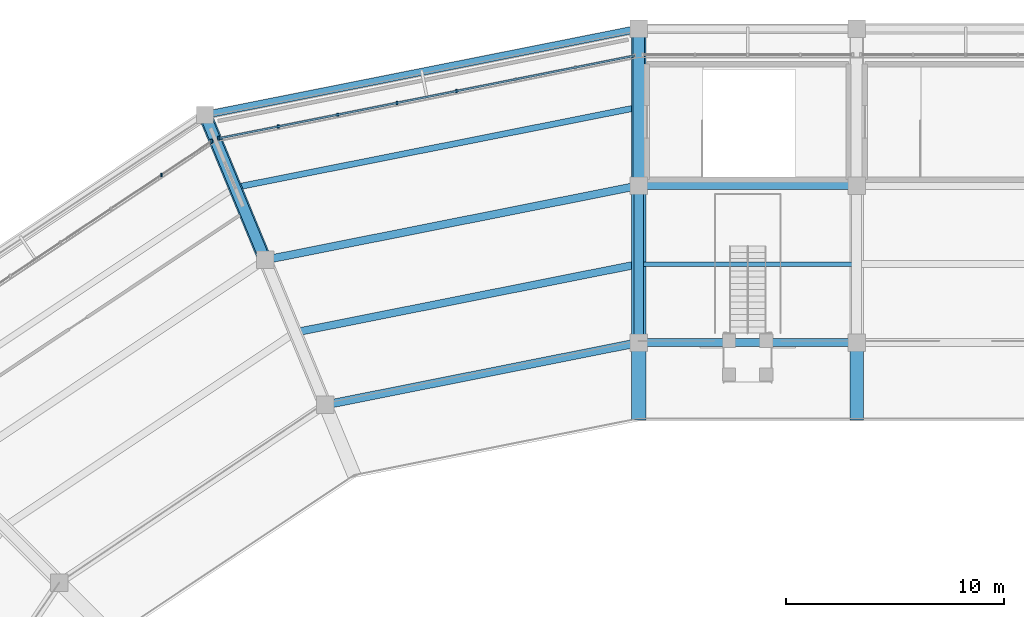
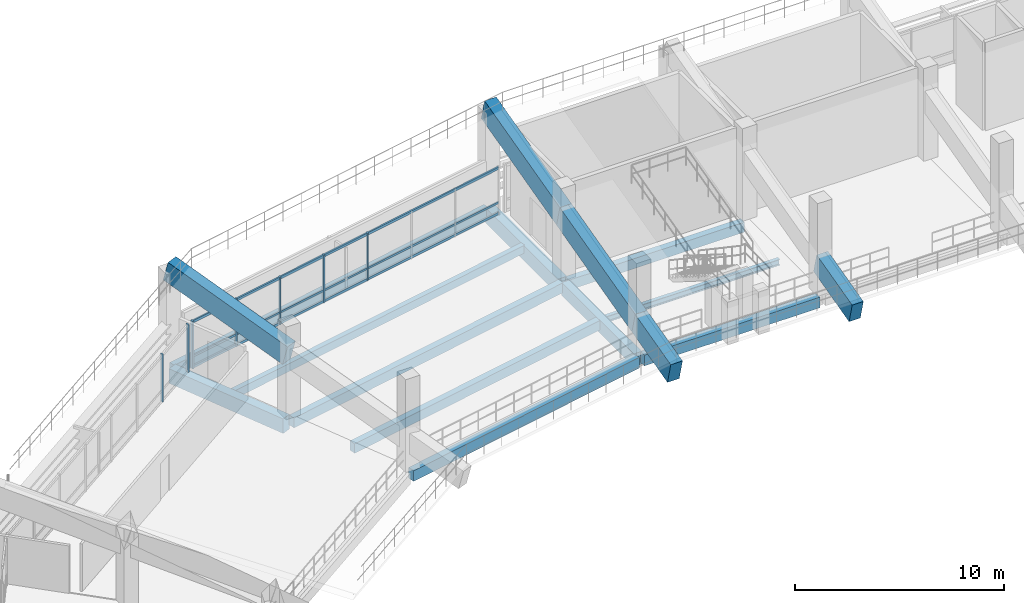
# One storey, part 41 of 96: 16 beams, 10 members, 2 elements without a shape of their own.
"""IFC4 building model written with IfcOpenShell, lengths in metres."""

import ifcopenshell
import ifcopenshell.guid

model = None  # the IFC model being written
_history = None  # IfcOwnerHistory: only IFC2X3 demands one
_inside = {}  # id of a spatial element -> (the spatial element, [elements in it])
_under = {}  # id of a project, library or spatial element -> (it, [spatial elements below it])
_declared = {}  # id of a project -> (the project, [libraries it declares])
_typed = {}  # id of a type object -> (the type object, [elements of that type])
_made_of = {}  # id of a material, layer set ... -> (it, [elements and type objects made of it])


def new_model(schema):
    """Start an empty IFC model of exactly this schema.

    Asked for "IFC4X3", IfcOpenShell would pick the latest addendum, in which some entities
    have other attributes; the version numbers below select the first issue.
    IFC2X3 requires an IfcOwnerHistory on every rooted entity: one is made here for all.
    """
    global model, _history
    if schema == "IFC4X3":
        model = ifcopenshell.file(schema_version=(4, 3, 0, 0))
    else:
        model = ifcopenshell.file(schema=schema)
    _inside.clear()
    _under.clear()
    _declared.clear()
    _typed.clear()
    _made_of.clear()
    _history = None
    if model.schema == "IFC2X3":
        org = make("IfcOrganization", Name="unknown")
        user = make(
            "IfcPersonAndOrganization",
            ThePerson=make("IfcPerson", FamilyName="unknown"),
            TheOrganization=org,
        )
        app = make(
            "IfcApplication",
            ApplicationDeveloper=org,
            Version="unknown",
            ApplicationFullName="unknown",
            ApplicationIdentifier="unknown",
        )
        _history = make(
            "IfcOwnerHistory",
            OwningUser=user,
            OwningApplication=app,
            ChangeAction="ADDED",
            CreationDate=0,
        )
    return model


def make(cls, **values):
    """One entity of the class cls with the attributes given. An attribute that is None is left unset."""
    return model.create_entity(
        cls, **{name: value for name, value in values.items() if value is not None}
    )


def rooted(cls, **values):
    """An entity with a GlobalId (a new one), such as an element, a storey or a relation."""
    return make(cls, GlobalId=ifcopenshell.guid.new(), OwnerHistory=_history, **values)


def si_unit(unit_type, name, prefix=None):
    """IfcSIUnit, for example si_unit("LENGTHUNIT", "METRE", prefix="MILLI")."""
    return make("IfcSIUnit", UnitType=unit_type, Prefix=prefix, Name=name)


def assignment(units):
    """IfcUnitAssignment: the units of a project."""
    return None if units is None else make("IfcUnitAssignment", Units=units)


def point(xyz):
    """IfcCartesianPoint."""
    return None if xyz is None else make("IfcCartesianPoint", Coordinates=xyz)


def direction(xyz):
    """IfcDirection."""
    return None if xyz is None else make("IfcDirection", DirectionRatios=xyz)


def frame(location, z_axis=None, x_axis=None):
    """IfcAxis2Placement3D, a coordinate frame: its origin and axes. An axis left out is left unset."""
    return make(
        "IfcAxis2Placement3D",
        Location=point(location),
        Axis=direction(z_axis),
        RefDirection=direction(x_axis),
    )


def frame_2d(location, x_axis=None):
    """IfcAxis2Placement2D, a coordinate frame in the plane: its origin and x axis."""
    return make(
        "IfcAxis2Placement2D", Location=point(location), RefDirection=direction(x_axis)
    )


def origin():
    """The frame at (0, 0, 0) with its axes left unset."""
    return frame((0.0, 0.0, 0.0))


def origin_2d():
    """The frame at (0, 0) in the plane with its x axis left unset."""
    return frame_2d((0.0, 0.0))


def place(relative_to, where):
    """IfcLocalPlacement: puts the frame where relative to a parent placement (None: the world)."""
    return make(
        "IfcLocalPlacement", PlacementRelTo=relative_to, RelativePlacement=where
    )


def context(
    kind, dimensions, precision=None, world=None, true_north=None, identifier=None
):
    """IfcGeometricRepresentationContext, for example the 3D "Model" context."""
    return make(
        "IfcGeometricRepresentationContext",
        ContextIdentifier=identifier,
        ContextType=kind,
        CoordinateSpaceDimension=dimensions,
        Precision=precision,
        WorldCoordinateSystem=world,
        TrueNorth=true_north,
    )


def subcontext(parent, identifier, kind, view, scale=None):
    """IfcGeometricRepresentationSubContext, for example "Body" below "Model"."""
    return make(
        "IfcGeometricRepresentationSubContext",
        ContextIdentifier=identifier,
        ContextType=kind,
        ParentContext=parent,
        TargetScale=scale,
        TargetView=view,
    )


def project(units=None, contexts=None):
    """IfcProject with its units and contexts."""
    return rooted(
        "IfcProject",
        Name="project",
        RepresentationContexts=contexts,
        UnitsInContext=assignment(units),
    )


def spatial(cls, under=None, at=None, **own):
    """A site, building, storey or space (cls), placed at a placement, below another one or the project."""
    s = rooted(cls, ObjectPlacement=at, **own)
    if under is not None:
        _under.setdefault(under.id(), (under, []))[1].append(s)
    return s


def profile(cls, at=None, kind="AREA", **sizes):
    """A parametric profile (cls). Its sizes go by their IFC names, for example OverallWidth=200.0."""
    return make(cls, ProfileType=kind, Position=at, **sizes)


def rectangle(**sizes):
    """IfcRectangleProfileDef."""
    return profile("IfcRectangleProfileDef", **sizes)


def i_section(**sizes):
    """IfcIShapeProfileDef."""
    return profile("IfcIShapeProfileDef", **sizes)


def extrude(swept, where, along, depth):
    """IfcExtrudedAreaSolid: the profile swept, set in the frame where, extruded along a direction by depth."""
    return make(
        "IfcExtrudedAreaSolid",
        SweptArea=swept,
        Position=where,
        ExtrudedDirection=direction(along),
        Depth=depth,
    )


def shape(context_of_items, identifier, shape_type, items):
    """IfcShapeRepresentation: the items that make up one representation, for example the "Body"."""
    return make(
        "IfcShapeRepresentation",
        ContextOfItems=context_of_items,
        RepresentationIdentifier=identifier,
        RepresentationType=shape_type,
        Items=items,
    )


def material(Name=None, Category=None):
    """IfcMaterial."""
    return make("IfcMaterial", Name=Name, Category=Category)


def material_profile(
    of_material, cross_section, Name=None, Category=None, Priority=None
):
    """IfcMaterialProfile: a cross section and its material."""
    return make(
        "IfcMaterialProfile",
        Name=Name,
        Material=of_material,
        Profile=cross_section,
        Priority=Priority,
        Category=Category,
    )


def profile_set(profiles, Name=None, composite=None):
    """IfcMaterialProfileSet."""
    return make(
        "IfcMaterialProfileSet",
        Name=Name,
        MaterialProfiles=profiles,
        CompositeProfile=composite,
    )


def made_of(thing, what):
    """Note that an element or type object is made of a material, layer set ...; save() writes the relation."""
    if what is not None:
        _made_of.setdefault(what.id(), (what, []))[1].append(thing)
    return thing


def type_object(cls, material=None, **own):
    """A type object (cls), such as IfcWallType, which elements share."""
    return made_of(rooted(cls, **own), material)


def element(
    cls,
    number,
    at=None,
    inside=None,
    cuts=None,
    type_object=None,
    material=None,
    context=None,
    identifier="Body",
    shape_type=None,
    held_by="IfcProductDefinitionShape",
    body=None,
    shapes=None,
    **own,
):
    """One element of the class cls, such as IfcWall. Its Tag is "e" and its number.

    at: its placement. inside: the storey or other place that contains it. cuts: it is an
    opening in that element (IfcRelVoidsElement). A single representation is given by context,
    identifier, shape_type and body (its items); several are given by shapes. held_by: the class
    of the entity that holds the representations. save() writes the other relations.
    """
    e = rooted(cls, Tag="e%d" % number, ObjectPlacement=at, **own)
    if body is not None:
        shapes = [shape(context, identifier, shape_type, body)]
    if shapes is not None:
        e.Representation = make(held_by, Representations=shapes)
    if inside is not None:
        _inside.setdefault(inside.id(), (inside, []))[1].append(e)
    if cuts is not None:
        rooted(
            "IfcRelVoidsElement", RelatingBuildingElement=cuts, RelatedOpeningElement=e
        )
    if type_object is not None:
        _typed.setdefault(type_object.id(), (type_object, []))[1].append(e)
    return made_of(e, material)


def aggregate(whole, parts):
    """IfcRelAggregates: a whole, such as a stair, and the parts it consists of."""
    return rooted("IfcRelAggregates", RelatingObject=whole, RelatedObjects=parts)


def save(model, path):
    """Write the relations noted so far, then the file.

    IfcRelAggregates (storeys below a building ...), IfcRelContainedInSpatialStructure (elements
    in a storey), IfcRelDefinesByType, IfcRelAssociatesMaterial and IfcRelDeclares: one each for
    every whole, place, type object, material and project.
    """
    for whole, parts in _under.values():
        aggregate(whole, parts)
    for where, things in _inside.values():
        rooted(
            "IfcRelContainedInSpatialStructure",
            RelatedElements=things,
            RelatingStructure=where,
        )
    for kind, things in _typed.values():
        rooted("IfcRelDefinesByType", RelatedObjects=things, RelatingType=kind)
    for what, things in _made_of.values():
        rooted("IfcRelAssociatesMaterial", RelatedObjects=things, RelatingMaterial=what)
    for by, libraries in _declared.values():
        rooted("IfcRelDeclares", RelatingContext=by, RelatedDefinitions=libraries)
    model.write(path)


model = new_model("IFC4")

# Units and contexts
model_context = context("Model", 3, precision=1e-05, world=origin(), true_north=direction((0.0, 1.0)))
body_context = subcontext(model_context, "Body", "Model", "MODEL_VIEW")
ifc_project = project(units=[si_unit("LENGTHUNIT", "METRE"), si_unit("AREAUNIT", "SQUARE_METRE"), si_unit("VOLUMEUNIT", "CUBIC_METRE"), si_unit("PLANEANGLEUNIT", "RADIAN"), si_unit("MASSUNIT", "GRAM", prefix="KILO")], contexts=[model_context])

# Site, building, storey
site_placement = place(None, origin())
site = spatial("IfcSite", under=ifc_project, at=site_placement, CompositionType="ELEMENT")
building_placement = place(site_placement, origin())
building = spatial("IfcBuilding", under=site, at=building_placement, Name="Candeia Ridge Stadium", CompositionType="ELEMENT")
storey_placement = place(building_placement, frame((0.0, 0.0, 21.60009765625)))
storey = spatial("IfcBuildingStorey", under=building, at=storey_placement, Name="L04", CompositionType="ELEMENT", Elevation=21.60009765625)

# Beams
ifc_material_1 = material(Name="Concrete C45/55", Category="concrete")
ifc_material_profile_1 = material_profile(ifc_material_1, rectangle(XDim=0.449951171875, YDim=0.75, at=origin_2d()), Name="RC450x750", Category="concrete")
ifc_profile_set_1 = profile_set([ifc_material_profile_1], Name="Concrete C45/55")
beam_type_1 = type_object("IfcBeamType", Name="Bowl Radial Girder RC450x750", PredefinedType="BEAM", material=ifc_profile_set_1)
beam_1_placement = place(storey_placement, frame((71.0, 132.760009765625, -0.635009765625), z_axis=(0.0, 1.0, 0.0), x_axis=(-1.0, 0.0, 0.0)))
element("IfcBeam", 1, at=beam_1_placement, inside=storey, type_object=beam_type_1, Name="Bowl radial girder BM-L04-0735", PredefinedType="BEAM", context=body_context, shape_type="SweptSolid", body=[
    extrude(rectangle(XDim=0.449951171875, YDim=0.75, at=origin_2d()), origin(), (0.0, 0.0, 1.0), 6.8798828125),
])
ifc_material_2 = material(Name="Concrete C40/50", Category="concrete")
ifc_material_profile_2 = material_profile(ifc_material_2, rectangle(XDim=0.35009765625, YDim=0.550048828125, at=origin_2d()), Name="RC350x550", Category="concrete")
ifc_profile_set_2 = profile_set([ifc_material_profile_2], Name="Concrete C40/50")
beam_type_2 = type_object("IfcBeamType", Name="Concourse Concrete Joist RC350x550", PredefinedType="JOIST", material=ifc_profile_set_2)
beam_2_placement = place(storey_placement, frame((70.7822265625, 136.15673828125, -0.53515625), z_axis=(-0.980784984607, -0.195091809076, 0.0), x_axis=(0.195091809076, -0.980784984607, 0.0)))
element("IfcBeam", 2, at=beam_2_placement, inside=storey, type_object=beam_type_2, Name="Concourse secondary joist BM-L04-0826", PredefinedType="JOIST", context=body_context, shape_type="SweptSolid", body=[
    extrude(rectangle(XDim=0.35009765625, YDim=0.550048828125, at=origin_2d()), origin(), (0.0, 0.0, 1.0), 15.63134765625),
])
ifc_material_3 = material(Name="Steel ASTM A572 Grade 50", Category="steel")
ifc_material_profile_3 = material_profile(ifc_material_3, i_section(OverallWidth=0.205078125, OverallDepth=0.35400390625, WebThickness=0.009521484375, FlangeThickness=0.016845703125, FilletRadius=0.014892578125, at=origin_2d()), Name="W360x79", Category="steel")
ifc_profile_set_3 = profile_set([ifc_material_profile_3], Name="Steel ASTM A572 Grade 50")
beam_type_3 = type_object("IfcBeamType", Name="Concourse Secondary Joist W360x79", PredefinedType="JOIST", material=ifc_profile_set_3)
beam_3_placement = place(storey_placement, frame((80.778076171875, 136.199951171875, -0.43701171875), z_axis=(-1.0, 0.0, 0.0), x_axis=(0.0, -1.0, 0.0)))
element("IfcBeam", 3, at=beam_3_placement, inside=storey, type_object=beam_type_3, Name="Concourse secondary joist BM-L04-0822", PredefinedType="JOIST", context=body_context, shape_type="SweptSolid", body=[
    extrude(i_section(OverallWidth=0.205078125, OverallDepth=0.35400390625, WebThickness=0.009521484375, FlangeThickness=0.016845703125, FilletRadius=0.014892578125, at=origin_2d()), origin(), (0.0, 0.0, 1.0), 9.55615234375),
])

# Curtain wall, member
ifc_material_4 = material(Name="Aluminium Anodized Warm Bronze", Category="aluminium")
curtain_wall_type = type_object("IfcCurtainWallType", Name="Concourse Recessed Unitised Curtain Wall", PredefinedType="NOTDEFINED", material=ifc_material_4)
curtain_wall_1_placement = place(storey_placement, origin())
curtain_wall_1 = element("IfcCurtainWall", 4, at=curtain_wall_1_placement, inside=storey, type_object=curtain_wall_type, Name="Unitised curtain wall CW-BWL-L04-07", PredefinedType="NOTDEFINED")
ifc_material_profile_4 = material_profile(ifc_material_4, rectangle(XDim=0.090087890625, YDim=0.179931640625, at=origin_2d()), Name="CWM-90x180", Category="aluminium")
ifc_profile_set_4 = profile_set([ifc_material_profile_4], Name="Aluminium Anodized Warm Bronze")
member_type_1 = type_object("IfcMemberType", Name="Curtain Wall Primary Mullion 90x180", PredefinedType="MULLION", material=ifc_profile_set_4)
member_1_placement = place(storey_placement, frame((51.736083984375, 141.96826171875, 0.0), z_axis=(0.0, 0.0, 1.0), x_axis=(1.0, 0.0, 0.0)))
member_1 = element("IfcMember", 5, at=member_1_placement, type_object=member_type_1, Name="Curtain wall mullion CW-BWL-L04-07-M7", PredefinedType="MULLION", context=body_context, shape_type="SweptSolid", body=[
    extrude(rectangle(XDim=0.090087890625, YDim=0.179931640625, at=origin_2d()), origin(), (0.0, 0.0, 1.0), 2.772216796875),
])

curtain_wall_2_placement = place(storey_placement, origin())
curtain_wall_2 = element("IfcCurtainWall", 6, at=curtain_wall_2_placement, inside=storey, type_object=curtain_wall_type, Name="Unitised curtain wall CW-BWL-L04-08", PredefinedType="NOTDEFINED")
member_2_placement = place(storey_placement, frame((51.409912109375, 141.8330078125, 0.0), z_axis=(0.0, 0.0, 1.0), x_axis=(1.0, 0.0, 0.0)))
member_2 = element("IfcMember", 7, at=member_2_placement, type_object=member_type_1, Name="Curtain wall mullion CW-BWL-L04-08-M0", PredefinedType="MULLION", context=body_context, shape_type="SweptSolid", body=[
    extrude(rectangle(XDim=0.090087890625, YDim=0.179931640625, at=origin_2d()), origin(), (0.0, 0.0, 1.0), 2.772216796875),
])

# Member
ifc_material_profile_5 = material_profile(ifc_material_4, rectangle(XDim=0.074951171875, YDim=0.14990234375, at=origin_2d()), Name="CWM-75x150", Category="aluminium")
ifc_profile_set_5 = profile_set([ifc_material_profile_5], Name="Aluminium Anodized Warm Bronze")
member_type_2 = type_object("IfcMemberType", Name="Curtain Wall Secondary Mullion 75x150", PredefinedType="MULLION", material=ifc_profile_set_5)
member_3_placement = place(storey_placement, frame((62.643310546875, 144.1376953125, 0.0), z_axis=(0.0, 0.0, 1.0), x_axis=(1.0, 0.0, 0.0)))
member_3 = element("IfcMember", 8, at=member_3_placement, type_object=member_type_2, Name="Curtain wall mullion CW-BWL-L04-07-M3", PredefinedType="MULLION", context=body_context, shape_type="SweptSolid", body=[
    extrude(rectangle(XDim=0.074951171875, YDim=0.14990234375, at=origin_2d()), origin(), (0.0, 0.0, 1.0), 2.772216796875),
])

member_4_placement = place(storey_placement, frame((59.91650390625, 143.595458984375, 0.0), z_axis=(0.0, 0.0, 1.0), x_axis=(1.0, 0.0, 0.0)))
member_4 = element("IfcMember", 9, at=member_4_placement, type_object=member_type_2, Name="Curtain wall mullion CW-BWL-L04-07-M4", PredefinedType="MULLION", context=body_context, shape_type="SweptSolid", body=[
    extrude(rectangle(XDim=0.074951171875, YDim=0.14990234375, at=origin_2d()), origin(), (0.0, 0.0, 1.0), 2.772216796875),
])

member_5_placement = place(storey_placement, frame((57.189697265625, 143.052978515625, 0.0), z_axis=(0.0, 0.0, 1.0), x_axis=(1.0, 0.0, 0.0)))
member_5 = element("IfcMember", 10, at=member_5_placement, type_object=member_type_2, Name="Curtain wall mullion CW-BWL-L04-07-M5", PredefinedType="MULLION", context=body_context, shape_type="SweptSolid", body=[
    extrude(rectangle(XDim=0.074951171875, YDim=0.14990234375, at=origin_2d()), origin(), (0.0, 0.0, 1.0), 2.772216796875),
])

member_6_placement = place(storey_placement, frame((54.462890625, 142.510498046875, 0.0), z_axis=(0.0, 0.0, 1.0), x_axis=(1.0, 0.0, 0.0)))
member_6 = element("IfcMember", 11, at=member_6_placement, type_object=member_type_2, Name="Curtain wall mullion CW-BWL-L04-07-M6", PredefinedType="MULLION", context=body_context, shape_type="SweptSolid", body=[
    extrude(rectangle(XDim=0.074951171875, YDim=0.14990234375, at=origin_2d()), origin(), (0.0, 0.0, 1.0), 2.772216796875),
])

member_7_placement = place(storey_placement, frame((49.098388671875, 140.28857421875, 0.0), z_axis=(0.0, 0.0, 1.0), x_axis=(1.0, 0.0, 0.0)))
member_7 = element("IfcMember", 12, at=member_7_placement, type_object=member_type_2, Name="Curtain wall mullion CW-BWL-L04-08-M1", PredefinedType="MULLION", context=body_context, shape_type="SweptSolid", body=[
    extrude(rectangle(XDim=0.074951171875, YDim=0.14990234375, at=origin_2d()), origin(), (0.0, 0.0, 1.0), 2.772216796875),
])

aggregate(curtain_wall_2, [member_2, member_7])

ifc_material_profile_6 = material_profile(ifc_material_4, rectangle(XDim=0.074951171875, YDim=0.110107421875, at=origin_2d()), Name="CWT-75x110", Category="aluminium")
ifc_profile_set_6 = profile_set([ifc_material_profile_6], Name="Aluminium Anodized Warm Bronze")
member_type_3 = type_object("IfcMemberType", Name="Curtain Wall Secondary Transom 75x110", PredefinedType="USERDEFINED", material=ifc_profile_set_6)
member_8_placement = place(storey_placement, frame((70.823486328125, 145.764892578125, 0.693115234375), z_axis=(-0.980786160623, -0.195085896803, 0.0), x_axis=(0.195085896803, -0.980786160623, 0.0)))
member_8 = element("IfcMember", 13, at=member_8_placement, type_object=member_type_3, Name="Curtain wall transom CW-BWL-L04-07-T1", ObjectType="TRANSOM", PredefinedType="USERDEFINED", context=body_context, shape_type="SweptSolid", body=[
    extrude(rectangle(XDim=0.074951171875, YDim=0.110107421875, at=origin_2d()), origin(), (0.0, 0.0, 1.0), 19.46142578125),
])

ifc_material_profile_7 = material_profile(ifc_material_4, rectangle(XDim=0.090087890625, YDim=0.139892578125, at=origin_2d()), Name="CWT-90x140", Category="aluminium")
ifc_profile_set_7 = profile_set([ifc_material_profile_7], Name="Aluminium Anodized Warm Bronze")
member_type_4 = type_object("IfcMemberType", Name="Curtain Wall Transom 90x140", PredefinedType="USERDEFINED", material=ifc_profile_set_7)
member_9_placement = place(storey_placement, frame((70.823486328125, 145.764892578125, 0.06982421875), z_axis=(-0.980786160623, -0.195085896803, 0.0), x_axis=(0.195085896803, -0.980786160623, 0.0)))
member_9 = element("IfcMember", 14, at=member_9_placement, type_object=member_type_4, Name="Curtain wall transom CW-BWL-L04-07-T0", ObjectType="TRANSOM", PredefinedType="USERDEFINED", context=body_context, shape_type="SweptSolid", body=[
    extrude(rectangle(XDim=0.090087890625, YDim=0.139892578125, at=origin_2d()), origin(), (0.0, 0.0, 1.0), 19.46142578125),
])

member_10_placement = place(storey_placement, frame((70.823486328125, 145.764892578125, 2.7021484375), z_axis=(-0.980786160623, -0.195085896803, 0.0), x_axis=(0.195085896803, -0.980786160623, 0.0)))
member_10 = element("IfcMember", 15, at=member_10_placement, type_object=member_type_4, Name="Curtain wall transom CW-BWL-L04-07-T2", ObjectType="TRANSOM", PredefinedType="USERDEFINED", context=body_context, shape_type="SweptSolid", body=[
    extrude(rectangle(XDim=0.090087890625, YDim=0.139892578125, at=origin_2d()), origin(), (0.0, 0.0, 1.0), 19.46142578125),
])

aggregate(curtain_wall_1, [member_3, member_4, member_5, member_6, member_1, member_9, member_8, member_10])

# Beams
ifc_material_profile_8 = material_profile(ifc_material_2, rectangle(XDim=0.280029296875, YDim=0.4599609375, at=origin_2d()), Name="RC280x460", Category="concrete")
ifc_profile_set_8 = profile_set([ifc_material_profile_8], Name="Concrete C40/50")
beam_type_4 = type_object("IfcBeamType", Name="Floor Joist RC280x460", PredefinedType="JOIST", material=ifc_profile_set_8)
beam_4_placement = place(storey_placement, frame((70.7822265625, 143.356689453125, -0.489990234375), z_axis=(-0.980784839623, -0.195092537954, 0.0), x_axis=(0.195092537954, -0.980784839623, 0.0)))
element("IfcBeam", 16, at=beam_4_placement, inside=storey, type_object=beam_type_4, Name="Concourse secondary joist BM-L04-0827", PredefinedType="JOIST", context=body_context, shape_type="SweptSolid", body=[
    extrude(rectangle(XDim=0.280029296875, YDim=0.4599609375, at=origin_2d()), origin(), (0.0, 0.0, 1.0), 18.440673828125),
])
ifc_material_profile_9 = material_profile(ifc_material_2, rectangle(XDim=0.360107421875, YDim=0.580078125, at=origin_2d()), Name="RC360x580", Category="concrete")
ifc_profile_set_9 = profile_set([ifc_material_profile_9], Name="Concrete C40/50")
beam_type_5 = type_object("IfcBeamType", Name="Frame Girder RC360x580", PredefinedType="BEAM", material=ifc_profile_set_9)
beam_5_placement = place(storey_placement, frame((80.840087890625, 139.800048828125, -0.550048828125), z_axis=(-1.0, 0.0, 0.0), x_axis=(0.0, -1.0, 0.0)))
element("IfcBeam", 17, at=beam_5_placement, inside=storey, type_object=beam_type_5, Name="Concourse spine girder BM-L04-0820", PredefinedType="BEAM", context=body_context, shape_type="SweptSolid", body=[
    extrude(rectangle(XDim=0.360107421875, YDim=0.580078125, at=origin_2d()), origin(), (0.0, 0.0, 1.0), 9.68017578125),
])
beam_6_placement = place(storey_placement, frame((70.843017578125, 139.768798828125, -0.550048828125), z_axis=(-0.980783706548, -0.195098234154, 0.0), x_axis=(0.195098234154, -0.980783706548, 0.0)))
element("IfcBeam", 18, at=beam_6_placement, inside=storey, type_object=beam_type_5, Name="Concourse spine girder BM-L04-0824", PredefinedType="BEAM", context=body_context, shape_type="SweptSolid", body=[
    extrude(rectangle(XDim=0.360107421875, YDim=0.580078125, at=origin_2d()), origin(), (0.0, 0.0, 1.0), 17.16015625),
])
ifc_material_profile_10 = material_profile(ifc_material_2, rectangle(XDim=0.3798828125, YDim=0.6201171875, at=origin_2d()), Name="RC380x620", Category="concrete")
ifc_profile_set_10 = profile_set([ifc_material_profile_10], Name="Concrete C40/50")
beam_type_6 = type_object("IfcBeamType", Name="Frame Girder RC380x620", PredefinedType="BEAM", material=ifc_profile_set_10)
beam_7_placement = place(storey_placement, frame((80.840087890625, 132.60009765625, -0.570068359375), z_axis=(-1.0, 0.0, 0.0), x_axis=(0.0, -1.0, 0.0)))
element("IfcBeam", 19, at=beam_7_placement, inside=storey, type_object=beam_type_6, Name="Bowl inner ring girder BM-L04-0819", PredefinedType="BEAM", context=body_context, shape_type="SweptSolid", body=[
    extrude(rectangle(XDim=0.3798828125, YDim=0.6201171875, at=origin_2d()), origin(), (0.0, 0.0, 1.0), 9.68017578125),
])
beam_8_placement = place(storey_placement, frame((70.843017578125, 132.56884765625, -0.570068359375), z_axis=(-0.980783642657, -0.195098555341, 0.0), x_axis=(0.195098555341, -0.980783642657, 0.0)))
element("IfcBeam", 20, at=beam_8_placement, inside=storey, type_object=beam_type_6, Name="Bowl inner ring girder BM-L04-0823", PredefinedType="BEAM", context=body_context, shape_type="SweptSolid", body=[
    extrude(rectangle(XDim=0.3798828125, YDim=0.6201171875, at=origin_2d()), origin(), (0.0, 0.0, 1.0), 14.350830078125),
])
ifc_material_profile_11 = material_profile(ifc_material_1, rectangle(XDim=0.5, YDim=0.85009765625, at=origin_2d()), Name="RC500x850", Category="concrete")
ifc_profile_set_11 = profile_set([ifc_material_profile_11], Name="Concrete C45/55")
beam_type_7 = type_object("IfcBeamType", Name="Frame Girder RC500x850", PredefinedType="BEAM", material=ifc_profile_set_11)
beam_9_placement = place(storey_placement, frame((53.79443359375, 136.53759765625, -0.68505859375), z_axis=(-0.382681914982, 0.923880161031, 0.0), x_axis=(-0.923880161031, -0.382681914982, 0.0)))
element("IfcBeam", 21, at=beam_9_placement, inside=storey, type_object=beam_type_7, Name="Bowl radial girder BM-L04-0738", PredefinedType="BEAM", context=body_context, shape_type="SweptSolid", body=[
    extrude(rectangle(XDim=0.5, YDim=0.85009765625, at=origin_2d()), origin(), (0.0, 0.0, 1.0), 6.8798828125),
])
ifc_material_profile_12 = material_profile(ifc_material_1, rectangle(XDim=0.52001953125, YDim=0.8798828125, at=origin_2d()), Name="RC520x880", Category="concrete")
ifc_profile_set_12 = profile_set([ifc_material_profile_12], Name="Concrete C45/55")
beam_type_8 = type_object("IfcBeamType", Name="Frame Girder RC520x880", PredefinedType="BEAM", material=ifc_profile_set_12)
beam_10_placement = place(storey_placement, frame((71.0, 139.9599609375, -0.7001953125), z_axis=(0.0, 1.0, 0.0), x_axis=(-1.0, 0.0, 0.0)))
element("IfcBeam", 22, at=beam_10_placement, inside=storey, type_object=beam_type_8, Name="Bowl radial girder BM-L04-0736", PredefinedType="BEAM", context=body_context, shape_type="SweptSolid", body=[
    extrude(rectangle(XDim=0.52001953125, YDim=0.8798828125, at=origin_2d()), origin(), (0.0, 0.0, 1.0), 6.880126953125),
])
ifc_material_profile_13 = material_profile(ifc_material_2, rectangle(XDim=0.330078125, YDim=0.639892578125, at=origin_2d()), Name="RC330x640", Category="concrete")
ifc_profile_set_13 = profile_set([ifc_material_profile_13], Name="Concrete C40/50")
beam_type_9 = type_object("IfcBeamType", Name="Spandrel Beam RC330x640", PredefinedType="SPANDREL", material=ifc_profile_set_13)
beam_11_placement = place(storey_placement, frame((70.843017578125, 146.96875, -0.580078125), z_axis=(-0.980786091775, -0.195086242929, 0.0), x_axis=(0.195086242929, -0.980786091775, 0.0)))
element("IfcBeam", 23, at=beam_11_placement, inside=storey, type_object=beam_type_9, Name="Bowl perimeter spandrel BM-L04-0825", PredefinedType="SPANDREL", context=body_context, shape_type="SweptSolid", body=[
    extrude(rectangle(XDim=0.330078125, YDim=0.639892578125, at=origin_2d()), origin(), (0.0, 0.0, 1.0), 19.969482421875),
])
ifc_material_profile_14 = material_profile(ifc_material_1, rectangle(XDim=0.6201171875, YDim=1.179931640625, at=origin_2d()), Name="RC620x1180", Category="concrete")
ifc_profile_set_14 = profile_set([ifc_material_profile_14], Name="Concrete C45/55")
beam_type_10 = type_object("IfcBeamType", Name="Stand Raker Beam RC620x1180", PredefinedType="USERDEFINED", material=ifc_profile_set_14)
beam_12_placement = place(storey_placement, frame((81.0, 129.199951171875, 0.78759765625), z_axis=(0.0, 0.968076277783, 0.250655780691), x_axis=(-1.0, 0.0, 0.0)))
element("IfcBeam", 24, at=beam_12_placement, inside=storey, type_object=beam_type_10, Name="Stand T3 cantilever raker beam 07", ObjectType="RAKER", PredefinedType="USERDEFINED", context=body_context, shape_type="SweptSolid", body=[
    extrude(rectangle(XDim=0.6201171875, YDim=1.179931640625, at=origin_2d()), origin(), (0.0, 0.0, 1.0), 3.51220703125),
])
beam_13_placement = place(storey_placement, frame((53.855712890625, 136.389892578125, 3.531982421875), z_axis=(-0.370472700699, 0.894373489566, 0.250691123094), x_axis=(-0.923875488976, -0.382693194178, 0.0)))
element("IfcBeam", 25, at=beam_13_placement, inside=storey, type_object=beam_type_10, Name="Stand T3 outer raker beam 09", ObjectType="RAKER", PredefinedType="USERDEFINED", context=body_context, shape_type="SweptSolid", body=[
    extrude(rectangle(XDim=0.6201171875, YDim=1.179931640625, at=origin_2d()), origin(), (0.0, 0.0, 1.0), 7.4375),
])
ifc_material_profile_15 = material_profile(ifc_material_1, rectangle(XDim=0.64990234375, YDim=1.25, at=origin_2d()), Name="RC650x1250", Category="concrete")
ifc_profile_set_15 = profile_set([ifc_material_profile_15], Name="Concrete C45/55")
beam_type_11 = type_object("IfcBeamType", Name="Stand Raker Beam RC650x1250", PredefinedType="USERDEFINED", material=ifc_profile_set_15)
beam_14_placement = place(storey_placement, frame((71.0, 132.60009765625, 1.66796875), z_axis=(0.0, 0.968083084121, 0.250629491956), x_axis=(-1.0, 0.0, 0.0)))
element("IfcBeam", 26, at=beam_14_placement, inside=storey, type_object=beam_type_11, Name="Stand T3 inner raker beam 08", ObjectType="RAKER", PredefinedType="USERDEFINED", context=body_context, shape_type="SweptSolid", body=[
    extrude(rectangle(XDim=0.64990234375, YDim=1.25, at=origin_2d()), origin(), (0.0, 0.0, 1.0), 7.437255859375),
])
beam_15_placement = place(storey_placement, frame((71.0, 139.800048828125, 3.531982421875), z_axis=(0.0, 0.968067153083, 0.250691019229), x_axis=(-1.0, 0.0, 0.0)))
element("IfcBeam", 27, at=beam_15_placement, inside=storey, type_object=beam_type_11, Name="Stand T3 outer raker beam 08", ObjectType="RAKER", PredefinedType="USERDEFINED", context=body_context, shape_type="SweptSolid", body=[
    extrude(rectangle(XDim=0.64990234375, YDim=1.25, at=origin_2d()), origin(), (0.0, 0.0, 1.0), 7.4375),
])
beam_16_placement = place(storey_placement, frame((71.0, 129.199951171875, 0.78759765625), z_axis=(0.0, 0.968076277783, 0.250655780691), x_axis=(-1.0, 0.0, 0.0)))
element("IfcBeam", 28, at=beam_16_placement, inside=storey, type_object=beam_type_11, Name="Stand T3 cantilever raker beam 08", ObjectType="RAKER", PredefinedType="USERDEFINED", context=body_context, shape_type="SweptSolid", body=[
    extrude(rectangle(XDim=0.64990234375, YDim=1.25, at=origin_2d()), origin(), (0.0, 0.0, 1.0), 3.51220703125),
])

save(model, "model.ifc")
